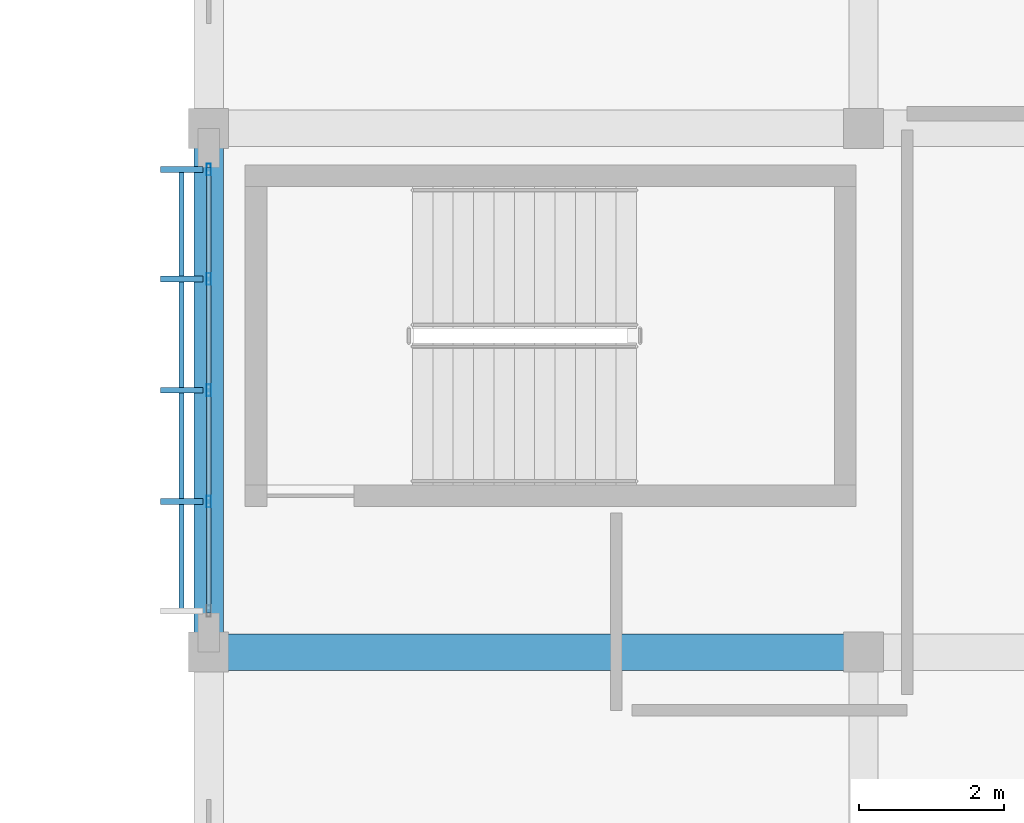
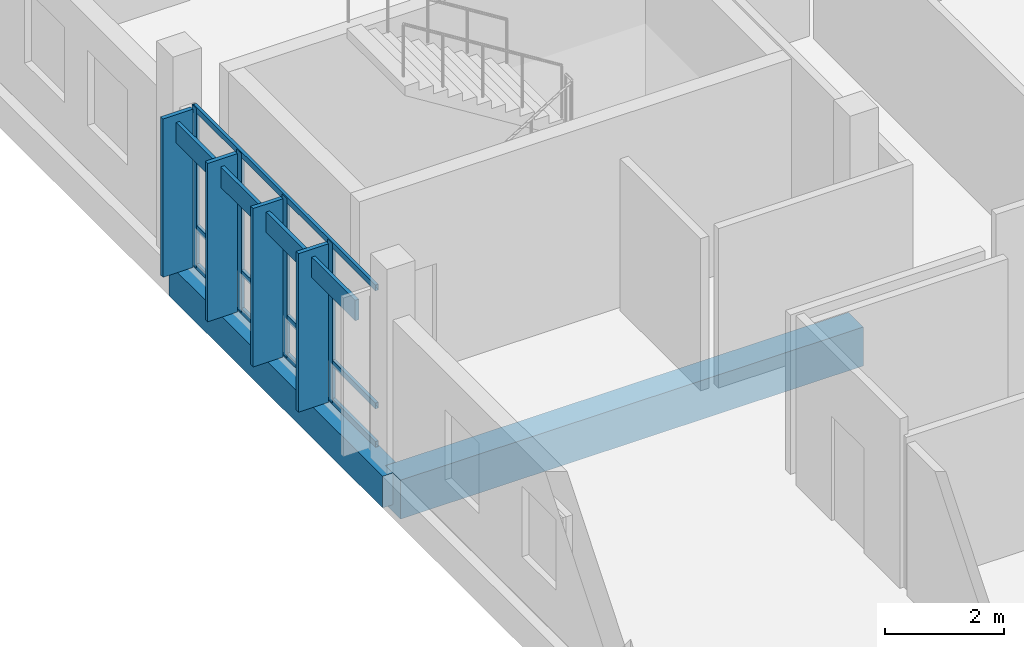
# One storey, part 57 of 94: 12 members, 2 beams, 1 element without a shape of its own.
"""IFC4 building model written with IfcOpenShell, lengths in metres."""

import ifcopenshell
import ifcopenshell.guid

model = None  # the IFC model being written
_history = None  # IfcOwnerHistory: only IFC2X3 demands one
_inside = {}  # id of a spatial element -> (the spatial element, [elements in it])
_under = {}  # id of a project, library or spatial element -> (it, [spatial elements below it])
_declared = {}  # id of a project -> (the project, [libraries it declares])
_typed = {}  # id of a type object -> (the type object, [elements of that type])
_made_of = {}  # id of a material, layer set ... -> (it, [elements and type objects made of it])


def new_model(schema):
    """Start an empty IFC model of exactly this schema.

    Asked for "IFC4X3", IfcOpenShell would pick the latest addendum, in which some entities
    have other attributes; the version numbers below select the first issue.
    IFC2X3 requires an IfcOwnerHistory on every rooted entity: one is made here for all.
    """
    global model, _history
    if schema == "IFC4X3":
        model = ifcopenshell.file(schema_version=(4, 3, 0, 0))
    else:
        model = ifcopenshell.file(schema=schema)
    _inside.clear()
    _under.clear()
    _declared.clear()
    _typed.clear()
    _made_of.clear()
    _history = None
    if model.schema == "IFC2X3":
        org = make("IfcOrganization", Name="unknown")
        user = make(
            "IfcPersonAndOrganization",
            ThePerson=make("IfcPerson", FamilyName="unknown"),
            TheOrganization=org,
        )
        app = make(
            "IfcApplication",
            ApplicationDeveloper=org,
            Version="unknown",
            ApplicationFullName="unknown",
            ApplicationIdentifier="unknown",
        )
        _history = make(
            "IfcOwnerHistory",
            OwningUser=user,
            OwningApplication=app,
            ChangeAction="ADDED",
            CreationDate=0,
        )
    return model


def make(cls, **values):
    """One entity of the class cls with the attributes given. An attribute that is None is left unset."""
    return model.create_entity(
        cls, **{name: value for name, value in values.items() if value is not None}
    )


def rooted(cls, **values):
    """An entity with a GlobalId (a new one), such as an element, a storey or a relation."""
    return make(cls, GlobalId=ifcopenshell.guid.new(), OwnerHistory=_history, **values)


def si_unit(unit_type, name, prefix=None):
    """IfcSIUnit, for example si_unit("LENGTHUNIT", "METRE", prefix="MILLI")."""
    return make("IfcSIUnit", UnitType=unit_type, Prefix=prefix, Name=name)


def assignment(units):
    """IfcUnitAssignment: the units of a project."""
    return None if units is None else make("IfcUnitAssignment", Units=units)


def point(xyz):
    """IfcCartesianPoint."""
    return None if xyz is None else make("IfcCartesianPoint", Coordinates=xyz)


def direction(xyz):
    """IfcDirection."""
    return None if xyz is None else make("IfcDirection", DirectionRatios=xyz)


def frame(location, z_axis=None, x_axis=None):
    """IfcAxis2Placement3D, a coordinate frame: its origin and axes. An axis left out is left unset."""
    return make(
        "IfcAxis2Placement3D",
        Location=point(location),
        Axis=direction(z_axis),
        RefDirection=direction(x_axis),
    )


def frame_2d(location, x_axis=None):
    """IfcAxis2Placement2D, a coordinate frame in the plane: its origin and x axis."""
    return make(
        "IfcAxis2Placement2D", Location=point(location), RefDirection=direction(x_axis)
    )


def origin():
    """The frame at (0, 0, 0) with its axes left unset."""
    return frame((0.0, 0.0, 0.0))


def origin_2d():
    """The frame at (0, 0) in the plane with its x axis left unset."""
    return frame_2d((0.0, 0.0))


def place(relative_to, where):
    """IfcLocalPlacement: puts the frame where relative to a parent placement (None: the world)."""
    return make(
        "IfcLocalPlacement", PlacementRelTo=relative_to, RelativePlacement=where
    )


def context(
    kind, dimensions, precision=None, world=None, true_north=None, identifier=None
):
    """IfcGeometricRepresentationContext, for example the 3D "Model" context."""
    return make(
        "IfcGeometricRepresentationContext",
        ContextIdentifier=identifier,
        ContextType=kind,
        CoordinateSpaceDimension=dimensions,
        Precision=precision,
        WorldCoordinateSystem=world,
        TrueNorth=true_north,
    )


def subcontext(parent, identifier, kind, view, scale=None):
    """IfcGeometricRepresentationSubContext, for example "Body" below "Model"."""
    return make(
        "IfcGeometricRepresentationSubContext",
        ContextIdentifier=identifier,
        ContextType=kind,
        ParentContext=parent,
        TargetScale=scale,
        TargetView=view,
    )


def project(units=None, contexts=None):
    """IfcProject with its units and contexts."""
    return rooted(
        "IfcProject",
        Name="project",
        RepresentationContexts=contexts,
        UnitsInContext=assignment(units),
    )


def spatial(cls, under=None, at=None, **own):
    """A site, building, storey or space (cls), placed at a placement, below another one or the project."""
    s = rooted(cls, ObjectPlacement=at, **own)
    if under is not None:
        _under.setdefault(under.id(), (under, []))[1].append(s)
    return s


def profile(cls, at=None, kind="AREA", **sizes):
    """A parametric profile (cls). Its sizes go by their IFC names, for example OverallWidth=200.0."""
    return make(cls, ProfileType=kind, Position=at, **sizes)


def rectangle(**sizes):
    """IfcRectangleProfileDef."""
    return profile("IfcRectangleProfileDef", **sizes)


def hollow_rectangle(**sizes):
    """IfcRectangleHollowProfileDef."""
    return profile("IfcRectangleHollowProfileDef", **sizes)


def extrude(swept, where, along, depth):
    """IfcExtrudedAreaSolid: the profile swept, set in the frame where, extruded along a direction by depth."""
    return make(
        "IfcExtrudedAreaSolid",
        SweptArea=swept,
        Position=where,
        ExtrudedDirection=direction(along),
        Depth=depth,
    )


def shape(context_of_items, identifier, shape_type, items):
    """IfcShapeRepresentation: the items that make up one representation, for example the "Body"."""
    return make(
        "IfcShapeRepresentation",
        ContextOfItems=context_of_items,
        RepresentationIdentifier=identifier,
        RepresentationType=shape_type,
        Items=items,
    )


def material(Name=None, Category=None):
    """IfcMaterial."""
    return make("IfcMaterial", Name=Name, Category=Category)


def material_profile(
    of_material, cross_section, Name=None, Category=None, Priority=None
):
    """IfcMaterialProfile: a cross section and its material."""
    return make(
        "IfcMaterialProfile",
        Name=Name,
        Material=of_material,
        Profile=cross_section,
        Priority=Priority,
        Category=Category,
    )


def profile_set(profiles, Name=None, composite=None):
    """IfcMaterialProfileSet."""
    return make(
        "IfcMaterialProfileSet",
        Name=Name,
        MaterialProfiles=profiles,
        CompositeProfile=composite,
    )


def made_of(thing, what):
    """Note that an element or type object is made of a material, layer set ...; save() writes the relation."""
    if what is not None:
        _made_of.setdefault(what.id(), (what, []))[1].append(thing)
    return thing


def type_object(cls, material=None, **own):
    """A type object (cls), such as IfcWallType, which elements share."""
    return made_of(rooted(cls, **own), material)


def element(
    cls,
    number,
    at=None,
    inside=None,
    cuts=None,
    type_object=None,
    material=None,
    context=None,
    identifier="Body",
    shape_type=None,
    held_by="IfcProductDefinitionShape",
    body=None,
    shapes=None,
    **own,
):
    """One element of the class cls, such as IfcWall. Its Tag is "e" and its number.

    at: its placement. inside: the storey or other place that contains it. cuts: it is an
    opening in that element (IfcRelVoidsElement). A single representation is given by context,
    identifier, shape_type and body (its items); several are given by shapes. held_by: the class
    of the entity that holds the representations. save() writes the other relations.
    """
    e = rooted(cls, Tag="e%d" % number, ObjectPlacement=at, **own)
    if body is not None:
        shapes = [shape(context, identifier, shape_type, body)]
    if shapes is not None:
        e.Representation = make(held_by, Representations=shapes)
    if inside is not None:
        _inside.setdefault(inside.id(), (inside, []))[1].append(e)
    if cuts is not None:
        rooted(
            "IfcRelVoidsElement", RelatingBuildingElement=cuts, RelatedOpeningElement=e
        )
    if type_object is not None:
        _typed.setdefault(type_object.id(), (type_object, []))[1].append(e)
    return made_of(e, material)


def aggregate(whole, parts):
    """IfcRelAggregates: a whole, such as a stair, and the parts it consists of."""
    return rooted("IfcRelAggregates", RelatingObject=whole, RelatedObjects=parts)


def save(model, path):
    """Write the relations noted so far, then the file.

    IfcRelAggregates (storeys below a building ...), IfcRelContainedInSpatialStructure (elements
    in a storey), IfcRelDefinesByType, IfcRelAssociatesMaterial and IfcRelDeclares: one each for
    every whole, place, type object, material and project.
    """
    for whole, parts in _under.values():
        aggregate(whole, parts)
    for where, things in _inside.values():
        rooted(
            "IfcRelContainedInSpatialStructure",
            RelatedElements=things,
            RelatingStructure=where,
        )
    for kind, things in _typed.values():
        rooted("IfcRelDefinesByType", RelatedObjects=things, RelatingType=kind)
    for what, things in _made_of.values():
        rooted("IfcRelAssociatesMaterial", RelatedObjects=things, RelatingMaterial=what)
    for by, libraries in _declared.values():
        rooted("IfcRelDeclares", RelatingContext=by, RelatedDefinitions=libraries)
    model.write(path)


model = new_model("IFC4")

# Units and contexts
model_context = context("Model", 3, precision=1e-05, world=origin(), true_north=direction((0.0, 1.0)))
body_context = subcontext(model_context, "Body", "Model", "MODEL_VIEW")
ifc_project = project(units=[si_unit("LENGTHUNIT", "METRE"), si_unit("AREAUNIT", "SQUARE_METRE"), si_unit("VOLUMEUNIT", "CUBIC_METRE"), si_unit("PLANEANGLEUNIT", "RADIAN"), si_unit("MASSUNIT", "GRAM", prefix="KILO")], contexts=[model_context])

# Site, building, storey
site_placement = place(None, origin())
site = spatial("IfcSite", under=ifc_project, at=site_placement, CompositionType="ELEMENT")
building_placement = place(site_placement, origin())
building = spatial("IfcBuilding", under=site, at=building_placement, Name="Chiffa Square Polytechnic", CompositionType="ELEMENT")
storey_placement = place(building_placement, frame((0.0, 0.0, 18.0)))
storey = spatial("IfcBuildingStorey", under=building, at=storey_placement, Name="L04", CompositionType="ELEMENT", Elevation=18.0)

# Beams
ifc_material_1 = material(Name="Concrete C35/45", Category="concrete")
ifc_material_profile_1 = material_profile(ifc_material_1, rectangle(XDim=0.39990234375, YDim=0.64990234375, at=origin_2d()), Name="RC 400x650")
ifc_profile_set_1 = profile_set([ifc_material_profile_1], Name="Concrete C35/45")
beam_type_1 = type_object("IfcBeamType", Name="BM-RC-400X650", PredefinedType="BEAM", material=ifc_profile_set_1)
beam_1_placement = place(storey_placement, frame((148.199951171875, 43.800048828125, -0.56494140625), z_axis=(0.0, 1.0, 0.0), x_axis=(-1.0, 0.0, 0.0)))
element("IfcBeam", 1, at=beam_1_placement, inside=storey, type_object=beam_type_1, Name="Primary floor girder BM-V1-L04-Y-1482-0438", PredefinedType="BEAM", context=body_context, shape_type="SweptSolid", body=[
    extrude(rectangle(XDim=0.39990234375, YDim=0.64990234375, at=origin_2d()), origin(), (0.0, 0.0, 1.0), 7.199951171875),
])
ifc_material_2 = material(Name="Concrete C40/50", Category="concrete")
ifc_material_profile_2 = material_profile(ifc_material_2, rectangle(XDim=0.5, YDim=0.800048828125, at=origin_2d()), Name="RC 500x800")
ifc_profile_set_2 = profile_set([ifc_material_profile_2], Name="Concrete C40/50")
beam_type_2 = type_object("IfcBeamType", Name="BM-RC-500X800", PredefinedType="BEAM", material=ifc_profile_set_2)
beam_2_placement = place(storey_placement, frame((148.199951171875, 43.800048828125, -0.639892578125), z_axis=(1.0, 0.0, 0.0), x_axis=(0.0, 1.0, 0.0)))
element("IfcBeam", 2, at=beam_2_placement, inside=storey, type_object=beam_type_2, Name="Primary floor girder BM-V1-L04-X-1482-0438", PredefinedType="BEAM", context=body_context, shape_type="SweptSolid", body=[
    extrude(rectangle(XDim=0.5, YDim=0.800048828125, at=origin_2d()), origin(), (0.0, 0.0, 1.0), 9.0),
])

# Curtain wall, members
ifc_material_3 = material(Name="Aluminium EN AW-6060 T66 and glulam shading", Category="wood")
curtain_wall_type = type_object("IfcCurtainWallType", Name="CW-VERT-450X440", PredefinedType="USERDEFINED", material=ifc_material_3)
curtain_wall_placement = place(storey_placement, origin())
curtain_wall = element("IfcCurtainWall", 3, at=curtain_wall_placement, inside=storey, type_object=curtain_wall_type, Name="Curtain wall CW-V1-L04-136", ObjectType="CURTAIN WALL", PredefinedType="USERDEFINED")
ifc_material_4 = material(Name="Aluminium EN AW-6060 T66", Category="aluminium")
ifc_material_profile_3 = material_profile(ifc_material_4, hollow_rectangle(XDim=0.06005859375, YDim=0.159912109375, WallThickness=0.00390625, at=origin_2d()), Name="ALU 60x160x4")
ifc_profile_set_3 = profile_set([ifc_material_profile_3], Name="Aluminium EN AW-6060 T66")
member_type_1 = type_object("IfcMemberType", Name="CWM-ALU-65X150", PredefinedType="MULLION", material=ifc_profile_set_3)
member_1_placement = place(storey_placement, frame((148.199951171875, 50.43505859375, 0.0), z_axis=(0.0, 0.0, 1.0), x_axis=(1.0, 0.0, 0.0)))
member_1 = element("IfcMember", 4, at=member_1_placement, type_object=member_type_1, Name="Curtain wall mullion CW-V1-L04-136-M00", PredefinedType="MULLION", context=body_context, shape_type="SweptSolid", body=[
    extrude(hollow_rectangle(XDim=0.06005859375, YDim=0.159912109375, WallThickness=0.00390625, at=origin_2d()), origin(), (0.0, 0.0, 1.0), 3.27490234375),
])
member_2_placement = place(storey_placement, frame((148.199951171875, 48.929931640625, 0.0), z_axis=(0.0, 0.0, 1.0), x_axis=(1.0, 0.0, 0.0)))
member_2 = element("IfcMember", 5, at=member_2_placement, type_object=member_type_1, Name="Curtain wall mullion CW-V1-L04-136-M01", PredefinedType="MULLION", context=body_context, shape_type="SweptSolid", body=[
    extrude(hollow_rectangle(XDim=0.06005859375, YDim=0.159912109375, WallThickness=0.00390625, at=origin_2d()), origin(), (0.0, 0.0, 1.0), 3.27490234375),
])
member_3_placement = place(storey_placement, frame((148.199951171875, 47.39990234375, 0.0), z_axis=(0.0, 0.0, 1.0), x_axis=(1.0, 0.0, 0.0)))
member_3 = element("IfcMember", 6, at=member_3_placement, type_object=member_type_1, Name="Curtain wall mullion CW-V1-L04-136-M02", PredefinedType="MULLION", context=body_context, shape_type="SweptSolid", body=[
    extrude(hollow_rectangle(XDim=0.06005859375, YDim=0.159912109375, WallThickness=0.00390625, at=origin_2d()), origin(), (0.0, 0.0, 1.0), 3.27490234375),
])
member_4_placement = place(storey_placement, frame((148.199951171875, 45.8701171875, 0.0), z_axis=(0.0, 0.0, 1.0), x_axis=(1.0, 0.0, 0.0)))
member_4 = element("IfcMember", 7, at=member_4_placement, type_object=member_type_1, Name="Curtain wall mullion CW-V1-L04-136-M03", PredefinedType="MULLION", context=body_context, shape_type="SweptSolid", body=[
    extrude(hollow_rectangle(XDim=0.06005859375, YDim=0.159912109375, WallThickness=0.00390625, at=origin_2d()), origin(), (0.0, 0.0, 1.0), 3.27490234375),
])
ifc_material_5 = material(Name="Glulam GL28h", Category="wood")
ifc_material_profile_4 = material_profile(ifc_material_5, rectangle(XDim=0.080078125, YDim=0.580078125, at=origin_2d()), Name="GL28h 80x580")
ifc_profile_set_4 = profile_set([ifc_material_profile_4], Name="Glulam GL28h")
member_type_2 = type_object("IfcMemberType", Name="CWM-GL-80X580", PredefinedType="MULLION", material=ifc_profile_set_4)
member_5_placement = place(storey_placement, frame((147.827880859375, 50.43505859375, 0.010009765625), z_axis=(0.0, 0.0, 1.0), x_axis=(0.0, -1.0, 0.0)))
member_5 = element("IfcMember", 8, at=member_5_placement, type_object=member_type_2, Name="Exterior glulam solar fin CW-V1-L04-136-FN00", PredefinedType="MULLION", context=body_context, shape_type="SweptSolid", body=[
    extrude(rectangle(XDim=0.080078125, YDim=0.580078125, at=origin_2d()), origin(), (0.0, 0.0, 1.0), 3.2548828125),
])
member_6_placement = place(storey_placement, frame((147.827880859375, 48.929931640625, 0.010009765625), z_axis=(0.0, 0.0, 1.0), x_axis=(0.0, -1.0, 0.0)))
member_6 = element("IfcMember", 9, at=member_6_placement, type_object=member_type_2, Name="Exterior glulam solar fin CW-V1-L04-136-FN01", PredefinedType="MULLION", context=body_context, shape_type="SweptSolid", body=[
    extrude(rectangle(XDim=0.080078125, YDim=0.580078125, at=origin_2d()), origin(), (0.0, 0.0, 1.0), 3.2548828125),
])
member_7_placement = place(storey_placement, frame((147.827880859375, 47.39990234375, 0.010009765625), z_axis=(0.0, 0.0, 1.0), x_axis=(0.0, -1.0, 0.0)))
member_7 = element("IfcMember", 10, at=member_7_placement, type_object=member_type_2, Name="Exterior glulam solar fin CW-V1-L04-136-FN02", PredefinedType="MULLION", context=body_context, shape_type="SweptSolid", body=[
    extrude(rectangle(XDim=0.080078125, YDim=0.580078125, at=origin_2d()), origin(), (0.0, 0.0, 1.0), 3.2548828125),
])
member_8_placement = place(storey_placement, frame((147.827880859375, 45.8701171875, 0.010009765625), z_axis=(0.0, 0.0, 1.0), x_axis=(0.0, -1.0, 0.0)))
member_8 = element("IfcMember", 11, at=member_8_placement, type_object=member_type_2, Name="Exterior glulam solar fin CW-V1-L04-136-FN03", PredefinedType="MULLION", context=body_context, shape_type="SweptSolid", body=[
    extrude(rectangle(XDim=0.080078125, YDim=0.580078125, at=origin_2d()), origin(), (0.0, 0.0, 1.0), 3.2548828125),
])
ifc_material_profile_5 = material_profile(ifc_material_4, hollow_rectangle(XDim=0.06005859375, YDim=0.1201171875, WallThickness=0.00390625, at=origin_2d()), Name="ALU 60x120x4")
ifc_profile_set_5 = profile_set([ifc_material_profile_5], Name="Aluminium EN AW-6060 T66")
member_type_3 = type_object("IfcMemberType", Name="CWT-ALU-65X120", PredefinedType="USERDEFINED", material=ifc_profile_set_5)
member_9_placement = place(storey_placement, frame((148.199951171875, 50.4619140625, 0.030029296875), z_axis=(0.0, -1.0, 0.0), x_axis=(1.0, 0.0, 0.0)))
member_9 = element("IfcMember", 12, at=member_9_placement, type_object=member_type_3, Name="Curtain wall transom CW-V1-L04-136-T01", ObjectType="TRANSOM", PredefinedType="USERDEFINED", context=body_context, shape_type="SweptSolid", body=[
    extrude(hollow_rectangle(XDim=0.06005859375, YDim=0.1201171875, WallThickness=0.00390625, at=origin_2d()), origin(), (0.0, 0.0, 1.0), 6.1240234375),
])
member_10_placement = place(storey_placement, frame((148.199951171875, 50.4619140625, 0.820068359375), z_axis=(0.0, -1.0, 0.0), x_axis=(1.0, 0.0, 0.0)))
member_10 = element("IfcMember", 13, at=member_10_placement, type_object=member_type_3, Name="Curtain wall transom CW-V1-L04-136-T02", ObjectType="TRANSOM", PredefinedType="USERDEFINED", context=body_context, shape_type="SweptSolid", body=[
    extrude(hollow_rectangle(XDim=0.06005859375, YDim=0.1201171875, WallThickness=0.00390625, at=origin_2d()), origin(), (0.0, 0.0, 1.0), 6.1240234375),
])
member_11_placement = place(storey_placement, frame((148.199951171875, 50.4619140625, 3.2451171875), z_axis=(0.0, -1.0, 0.0), x_axis=(1.0, 0.0, 0.0)))
member_11 = element("IfcMember", 14, at=member_11_placement, type_object=member_type_3, Name="Curtain wall transom CW-V1-L04-136-T03", ObjectType="TRANSOM", PredefinedType="USERDEFINED", context=body_context, shape_type="SweptSolid", body=[
    extrude(hollow_rectangle(XDim=0.06005859375, YDim=0.1201171875, WallThickness=0.00390625, at=origin_2d()), origin(), (0.0, 0.0, 1.0), 6.1240234375),
])
ifc_material_profile_6 = material_profile(ifc_material_5, rectangle(XDim=0.070068359375, YDim=0.419921875, at=origin_2d()), Name="GL28h 70x420")
ifc_profile_set_6 = profile_set([ifc_material_profile_6], Name="Glulam GL28h")
member_type_4 = type_object("IfcMemberType", Name="CWT-GL-70X420", PredefinedType="USERDEFINED", material=ifc_profile_set_6)
member_12_placement = place(storey_placement, frame((147.827880859375, 50.43505859375, 2.89501953125), z_axis=(0.0, -1.0, 0.0), x_axis=(1.0, 0.0, 0.0)))
member_12 = element("IfcMember", 15, at=member_12_placement, type_object=member_type_4, Name="Exterior glulam brise-soleil CW-V1-L04-136-BS01", ObjectType="TRANSOM", PredefinedType="USERDEFINED", context=body_context, shape_type="SweptSolid", body=[
    extrude(rectangle(XDim=0.070068359375, YDim=0.419921875, at=origin_2d()), origin(), (0.0, 0.0, 1.0), 6.070068359375),
])
aggregate(curtain_wall, [member_1, member_5, member_2, member_6, member_3, member_7, member_4, member_8, member_9, member_10, member_11, member_12])

save(model, "model.ifc")
